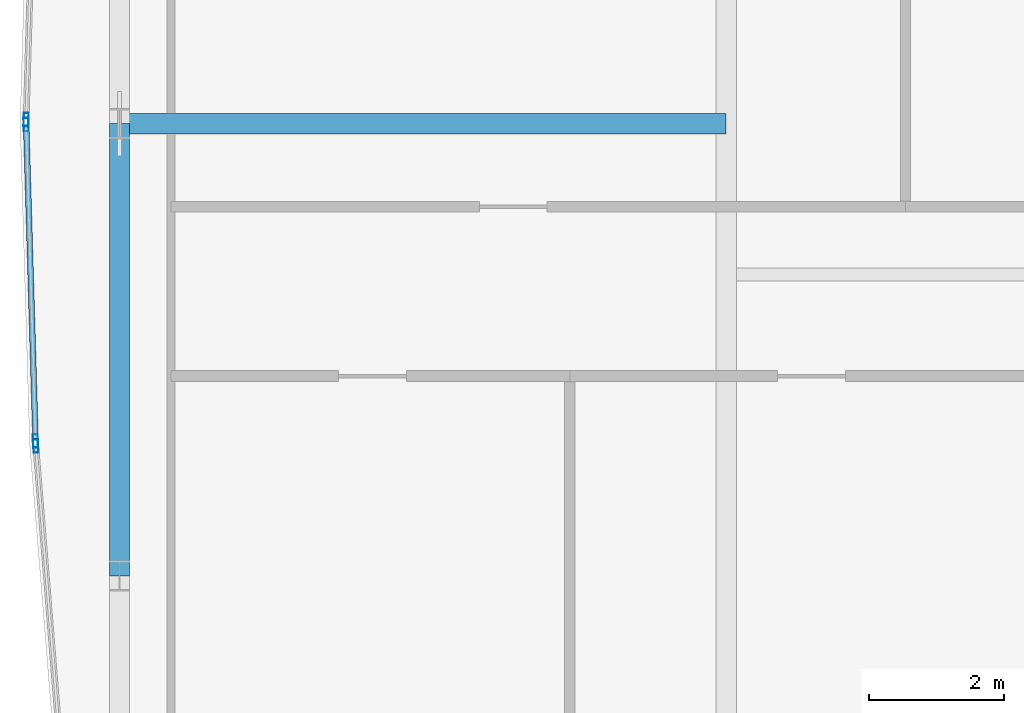
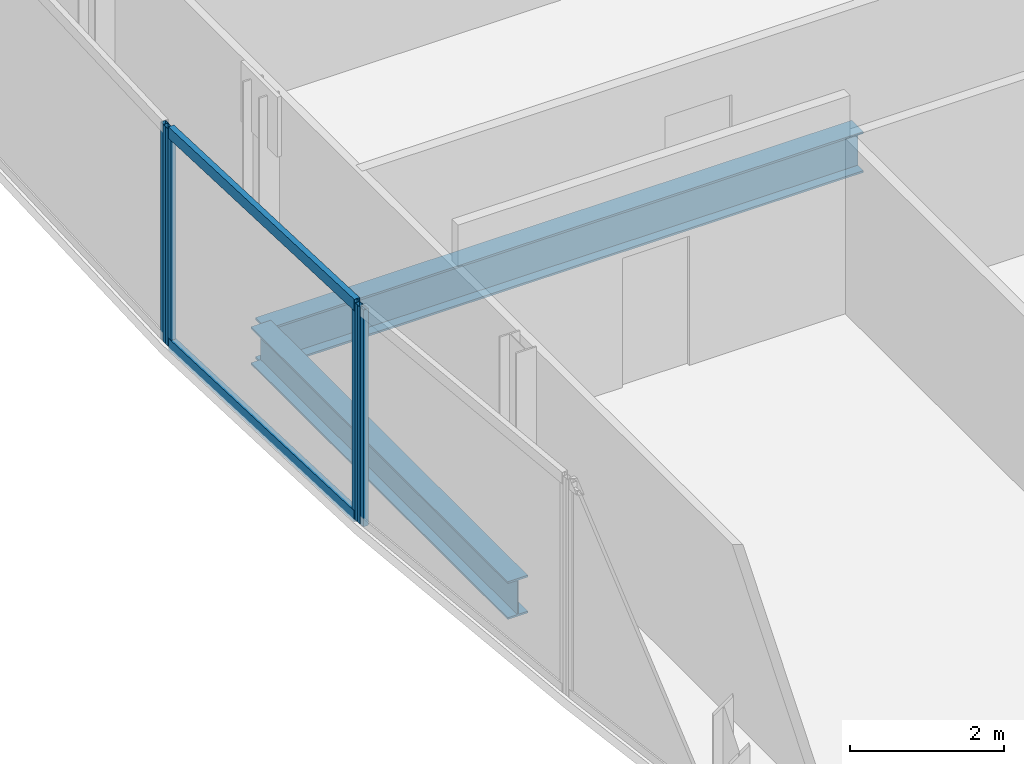
# One storey, part 10 of 29: 6 members, 2 beams, 3 elements without a shape of their own.
"""IFC4 building model written with IfcOpenShell, lengths in metres."""

from ifc_helpers import new_model, si_unit, direction, frame, origin, origin_2d, place, context, subcontext, project, spatial, hollow_rectangle, i_section, extrude, material, material_profile, profile_set, type_object, element, aggregate, save


model = new_model("IFC4")

# Units and contexts
model_context = context("Model", 3, precision=1e-05, world=origin(), true_north=direction((0.0, 1.0)))
body_context = subcontext(model_context, "Body", "Model", "MODEL_VIEW")
ifc_project = project(units=[si_unit("LENGTHUNIT", "METRE"), si_unit("AREAUNIT", "SQUARE_METRE"), si_unit("VOLUMEUNIT", "CUBIC_METRE"), si_unit("PLANEANGLEUNIT", "RADIAN"), si_unit("MASSUNIT", "GRAM", prefix="KILO")], contexts=[model_context])

# Site, building, storey
site_placement = place(None, origin())
site = spatial("IfcSite", under=ifc_project, at=site_placement, CompositionType="ELEMENT")
building_placement = place(site_placement, origin())
building = spatial("IfcBuilding", under=site, at=building_placement, Name="Khoronbel Lancet Exchange", CompositionType="ELEMENT")
storey_placement = place(building_placement, frame((0.0, 0.0, 246.199951171875)))
storey = spatial("IfcBuildingStorey", under=building, at=storey_placement, Name="L63", CompositionType="ELEMENT", Elevation=246.199951171875)

# Beams
ifc_material_1 = material(Name="Steel S355", Category="steel")
ifc_material_profile_1 = material_profile(ifc_material_1, i_section(OverallWidth=0.300048828125, OverallDepth=0.64990234375, WebThickness=0.01611328125, FlangeThickness=0.031005859375, at=origin_2d()), Name="HEB 650")
ifc_profile_set_1 = profile_set([ifc_material_profile_1], Name="Steel S355")
beam_type_1 = type_object("IfcBeamType", Name="BM-BG4", PredefinedType="BEAM", material=ifc_profile_set_1)
beam_1_placement = place(storey_placement, frame((9.27001953125, 31.425048828125, -0.48486328125), z_axis=(1.0, 0.0, 0.0), x_axis=(0.0, 1.0, 0.0)))
element("IfcBeam", 1, at=beam_1_placement, inside=storey, type_object=beam_type_1, Name="Level L63 west lens tie girder LG2W", PredefinedType="BEAM", context=body_context, shape_type="SweptSolid", body=[
    extrude(i_section(OverallWidth=0.300048828125, OverallDepth=0.64990234375, WebThickness=0.01611328125, FlangeThickness=0.031005859375, at=origin_2d()), origin(), (0.0, 0.0, 1.0), 8.955078125),
])
ifc_material_profile_2 = material_profile(ifc_material_1, i_section(OverallWidth=0.300048828125, OverallDepth=0.60009765625, WebThickness=0.015380859375, FlangeThickness=0.030029296875, at=origin_2d()), Name="HEB 600")
ifc_profile_set_2 = profile_set([ifc_material_profile_2], Name="Steel S355")
beam_type_2 = type_object("IfcBeamType", Name="BM-BSP2", PredefinedType="SPANDREL", material=ifc_profile_set_2)
beam_2_placement = place(storey_placement, frame((9.27001953125, 31.425048828125, -0.4599609375), z_axis=(0.0, -1.0, 0.0), x_axis=(1.0, 0.0, 0.0)))
element("IfcBeam", 2, at=beam_2_placement, inside=storey, type_object=beam_type_2, Name="Level L63 perimeter spandrel beam SP19", PredefinedType="SPANDREL", context=body_context, shape_type="SweptSolid", body=[
    extrude(i_section(OverallWidth=0.300048828125, OverallDepth=0.60009765625, WebThickness=0.015380859375, FlangeThickness=0.030029296875, at=origin_2d()), origin(), (0.0, 0.0, 1.0), 6.675048828125),
])

# Curtain wall, member
ifc_material_2 = material(Name="Low-E Solar Control Insulating Glass", Category="glass")
curtain_wall_type = type_object("IfcCurtainWallType", Name="CW-4", PredefinedType="NOTDEFINED", material=ifc_material_2)
curtain_wall_1_placement = place(storey_placement, origin())
curtain_wall_1 = element("IfcCurtainWall", 3, at=curtain_wall_1_placement, inside=storey, type_object=curtain_wall_type, Name="Unitised curtain wall CW-L63-E05", PredefinedType="NOTDEFINED")
ifc_material_3 = material(Name="Bronze-Anodised Aluminium 6063-T6", Category="aluminium")
ifc_material_profile_3 = material_profile(ifc_material_3, hollow_rectangle(XDim=0.074951171875, YDim=0.199951171875, WallThickness=0.0048828125, at=origin_2d()), Name="ALU MULLION 75x200")
ifc_profile_set_3 = profile_set([ifc_material_profile_3], Name="Bronze-Anodised Aluminium 6063-T6")
member_type_1 = type_object("IfcMemberType", Name="MEM-CWM2", PredefinedType="MULLION", material=ifc_profile_set_3)
member_1_placement = place(storey_placement, frame((8.03369140625, 26.667724609375, 0.0), z_axis=(0.0, 0.0, 1.0), x_axis=(-0.996743296731, -0.080639943095, 0.0)))
member_1 = element("IfcMember", 4, at=member_1_placement, type_object=member_type_1, Name="CW4 mullion 2", PredefinedType="MULLION", context=body_context, shape_type="SweptSolid", body=[
    extrude(hollow_rectangle(XDim=0.074951171875, YDim=0.199951171875, WallThickness=0.0048828125, at=origin_2d()), origin(), (0.0, 0.0, 1.0), 3.43994140625),
])
aggregate(curtain_wall_1, [member_1])

# Curtain wall, members
curtain_wall_2_placement = place(storey_placement, origin())
curtain_wall_2 = element("IfcCurtainWall", 5, at=curtain_wall_2_placement, inside=storey, type_object=curtain_wall_type, Name="Unitised curtain wall CW-L63-E06", PredefinedType="NOTDEFINED")
member_2_placement = place(storey_placement, frame((8.029541015625, 26.742431640625, 0.0), z_axis=(0.0, 0.0, 1.0), x_axis=(-0.999561285143, -0.029618191076, 0.0)))
member_2 = element("IfcMember", 6, at=member_2_placement, type_object=member_type_1, Name="CW4 mullion 1", PredefinedType="MULLION", context=body_context, shape_type="SweptSolid", body=[
    extrude(hollow_rectangle(XDim=0.074951171875, YDim=0.199951171875, WallThickness=0.0048828125, at=origin_2d()), origin(), (0.0, 0.0, 1.0), 3.43994140625),
])
member_3_placement = place(storey_placement, frame((7.89111328125, 31.41259765625, 0.0), z_axis=(0.0, 0.0, 1.0), x_axis=(-0.999561285143, -0.029618191076, 0.0)))
member_3 = element("IfcMember", 7, at=member_3_placement, type_object=member_type_1, Name="CW4 mullion 2", PredefinedType="MULLION", context=body_context, shape_type="SweptSolid", body=[
    extrude(hollow_rectangle(XDim=0.074951171875, YDim=0.199951171875, WallThickness=0.0048828125, at=origin_2d()), origin(), (0.0, 0.0, 1.0), 3.43994140625),
])

# Curtain wall, member
curtain_wall_3_placement = place(storey_placement, origin())
curtain_wall_3 = element("IfcCurtainWall", 8, at=curtain_wall_3_placement, inside=storey, type_object=curtain_wall_type, Name="Unitised curtain wall CW-L63-E07", PredefinedType="NOTDEFINED")
member_4_placement = place(storey_placement, frame((7.89111328125, 31.487548828125, 0.0), z_axis=(0.0, 0.0, 1.0), x_axis=(-0.999561285143, 0.029618191076, 0.0)))
member_4 = element("IfcMember", 9, at=member_4_placement, type_object=member_type_1, Name="CW4 mullion 1", PredefinedType="MULLION", context=body_context, shape_type="SweptSolid", body=[
    extrude(hollow_rectangle(XDim=0.074951171875, YDim=0.199951171875, WallThickness=0.0048828125, at=origin_2d()), origin(), (0.0, 0.0, 1.0), 3.43994140625),
])
aggregate(curtain_wall_3, [member_4])

# Member
ifc_material_profile_4 = material_profile(ifc_material_3, hollow_rectangle(XDim=0.0849609375, YDim=0.179931640625, WallThickness=0.0048828125, at=origin_2d()), Name="ALU TRANSOM 85x180")
ifc_profile_set_4 = profile_set([ifc_material_profile_4], Name="Bronze-Anodised Aluminium 6063-T6")
member_type_2 = type_object("IfcMemberType", Name="MEM-CWT1", PredefinedType="USERDEFINED", material=ifc_profile_set_4)
member_5_placement = place(storey_placement, frame((8.0283203125, 26.780029296875, 0.04248046875), z_axis=(-0.029581650207, 0.999562367224, 0.0), x_axis=(-0.999562367224, -0.029581650207, 0.0)))
member_5 = element("IfcMember", 10, at=member_5_placement, type_object=member_type_2, Name="CW4 transom 1.1", ObjectType="TRANSOM", PredefinedType="USERDEFINED", context=body_context, shape_type="SweptSolid", body=[
    extrude(hollow_rectangle(XDim=0.0849609375, YDim=0.179931640625, WallThickness=0.0048828125, at=origin_2d()), origin(), (0.0, 0.0, 1.0), 4.596923828125),
])

member_6_placement = place(storey_placement, frame((8.0283203125, 26.780029296875, 3.3974609375), z_axis=(-0.029581650207, 0.999562367224, 0.0), x_axis=(-0.999562367224, -0.029581650207, 0.0)))
member_6 = element("IfcMember", 11, at=member_6_placement, type_object=member_type_2, Name="CW4 transom 1.2", ObjectType="TRANSOM", PredefinedType="USERDEFINED", context=body_context, shape_type="SweptSolid", body=[
    extrude(hollow_rectangle(XDim=0.0849609375, YDim=0.179931640625, WallThickness=0.0048828125, at=origin_2d()), origin(), (0.0, 0.0, 1.0), 4.596923828125),
])

aggregate(curtain_wall_2, [member_2, member_3, member_5, member_6])

save(model, "model.ifc")
